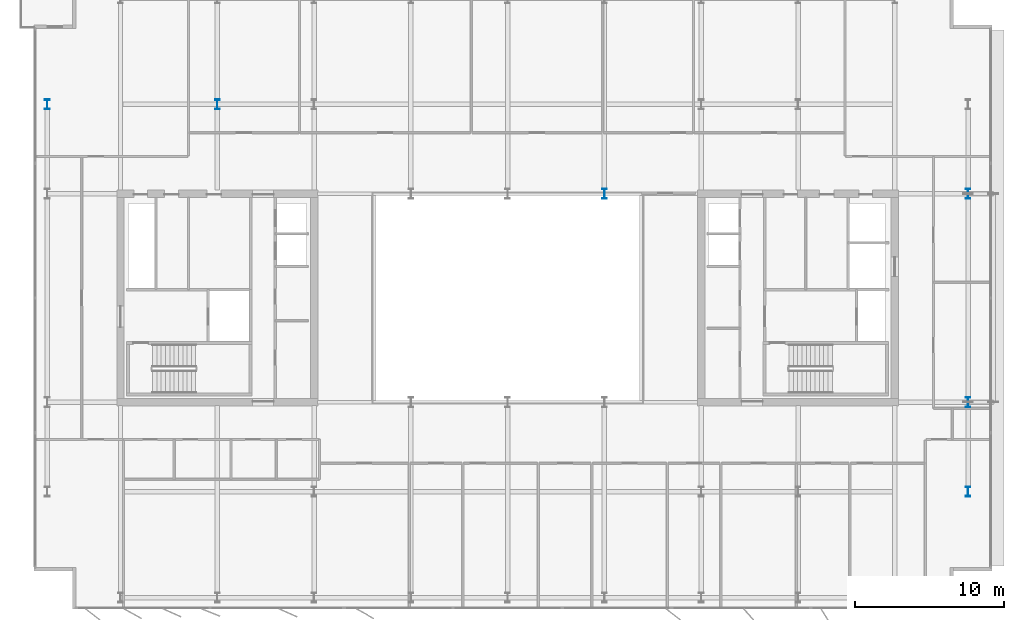
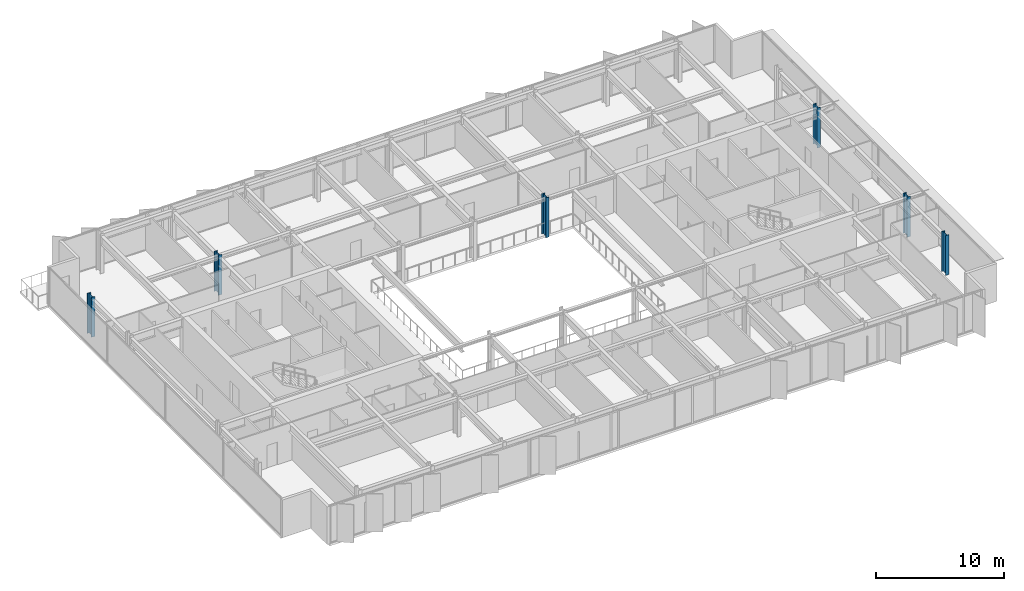
# One storey, part 2 of 20: 6 columns.
"""IFC4 building model written with IfcOpenShell, lengths in metres."""

from ifc_helpers import new_model, si_unit, direction, frame, origin, origin_2d, place, context, subcontext, project, spatial, i_section, extrude, material, material_profile, profile_set, type_object, element, save


model = new_model("IFC4")

# Units and contexts
model_context = context("Model", 3, precision=1e-05, world=origin(), true_north=direction((0.0, 1.0)))
body_context = subcontext(model_context, "Body", "Model", "MODEL_VIEW")
ifc_project = project(units=[si_unit("LENGTHUNIT", "METRE"), si_unit("AREAUNIT", "SQUARE_METRE"), si_unit("VOLUMEUNIT", "CUBIC_METRE"), si_unit("PLANEANGLEUNIT", "RADIAN"), si_unit("MASSUNIT", "GRAM", prefix="KILO")], contexts=[model_context])

# Site, building, storey
site_placement = place(None, origin())
site = spatial("IfcSite", under=ifc_project, at=site_placement, CompositionType="ELEMENT")
building_placement = place(site_placement, origin())
building = spatial("IfcBuilding", under=site, at=building_placement, Name="Putna Gate Headquarters", CompositionType="ELEMENT")
storey_placement = place(building_placement, frame((0.0, 0.0, 270.800048828125)))
storey = spatial("IfcBuildingStorey", under=building, at=storey_placement, Name="L68", CompositionType="ELEMENT", Elevation=270.800048828125)

# Columns
ifc_material = material(Name="Steel S460M", Category="steel")
ifc_material_profile_1 = material_profile(ifc_material, i_section(OverallWidth=0.304931640625, OverallDepth=0.66796875, WebThickness=0.02099609375, FlangeThickness=0.0400390625, at=origin_2d()), Name="Steel S460M")
ifc_profile_set_1 = profile_set([ifc_material_profile_1], Name="Steel S460M")
column_type_1 = type_object("IfcColumnType", Name="COL-STL-HEM650-EXT", PredefinedType="COLUMN", material=ifc_profile_set_1)
for number, where, z_axis, x_axis, name in (
    (1, (69.919921875, 13.0, 0.0), (0.0, 0.0, 1.0), (1.0, 0.0, 0.0), "L68 Column CP-E13"),
    (2, (69.919921875, 19.0, 0.0), (0.0, 0.0, 1.0), (1.0, 0.0, 0.0), "L68 Column CP-E19"),
    (3, (69.919921875, 33.0, 0.0), (0.0, 0.0, 1.0), (1.0, 0.0, 0.0), "L68 Column CP-E33"),
    (4, (8.080078125, 39.0, 0.0), (0.0, 0.0, 1.0), (1.0, 0.0, 0.0), "L68 Column CP-W39"),
):
    element("IfcColumn", number, at=place(storey_placement, frame(where, z_axis=z_axis, x_axis=x_axis)), inside=storey, type_object=column_type_1, Name=name, PredefinedType="COLUMN", context=body_context, shape_type="SweptSolid", body=[
        extrude(i_section(OverallWidth=0.304931640625, OverallDepth=0.66796875, WebThickness=0.02099609375, FlangeThickness=0.0400390625, at=origin_2d()), origin(), (0.0, 0.0, 1.0), 3.800048828125),
    ])
ifc_material_profile_2 = material_profile(ifc_material, i_section(OverallWidth=0.304931640625, OverallDepth=0.66796875, WebThickness=0.02099609375, FlangeThickness=0.0400390625, at=origin_2d()), Name="Steel S460M")
ifc_profile_set_2 = profile_set([ifc_material_profile_2], Name="Steel S460M")
column_type_2 = type_object("IfcColumnType", Name="COL-STL-HEM650-INT", PredefinedType="COLUMN", material=ifc_profile_set_2)
for number, where, z_axis, x_axis, name in (
    (5, (19.5, 39.0, 0.0), (0.0, 0.0, 1.0), (1.0, 0.0, 0.0), "L68 Column CSI-WN"),
    (6, (45.5, 33.0, 0.0), (0.0, 0.0, 1.0), (1.0, 0.0, 0.0), "L68 Column CAI-N45"),
):
    element("IfcColumn", number, at=place(storey_placement, frame(where, z_axis=z_axis, x_axis=x_axis)), inside=storey, type_object=column_type_2, Name=name, PredefinedType="COLUMN", context=body_context, shape_type="SweptSolid", body=[
        extrude(i_section(OverallWidth=0.304931640625, OverallDepth=0.66796875, WebThickness=0.02099609375, FlangeThickness=0.0400390625, at=origin_2d()), origin(), (0.0, 0.0, 1.0), 3.800048828125),
    ])

save(model, "model.ifc")
